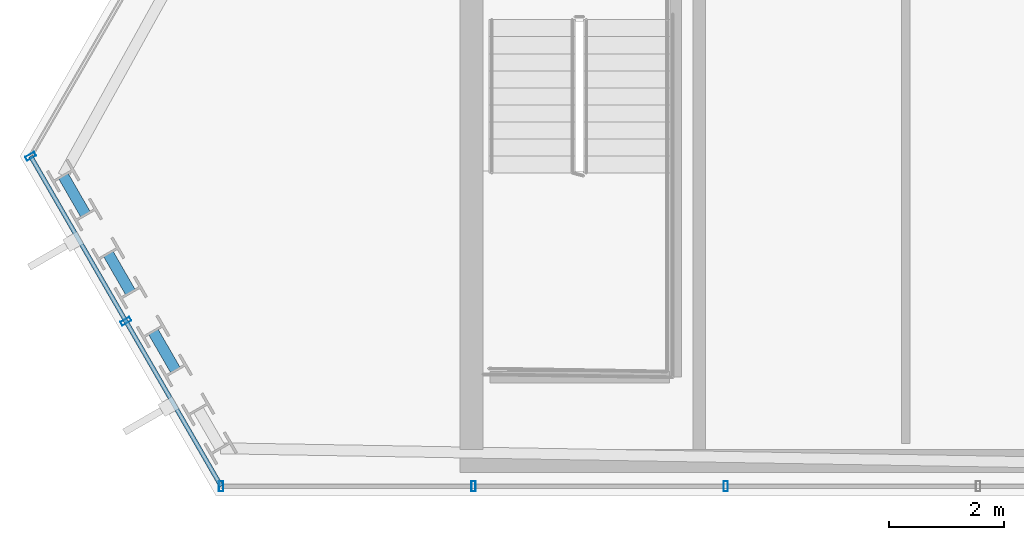
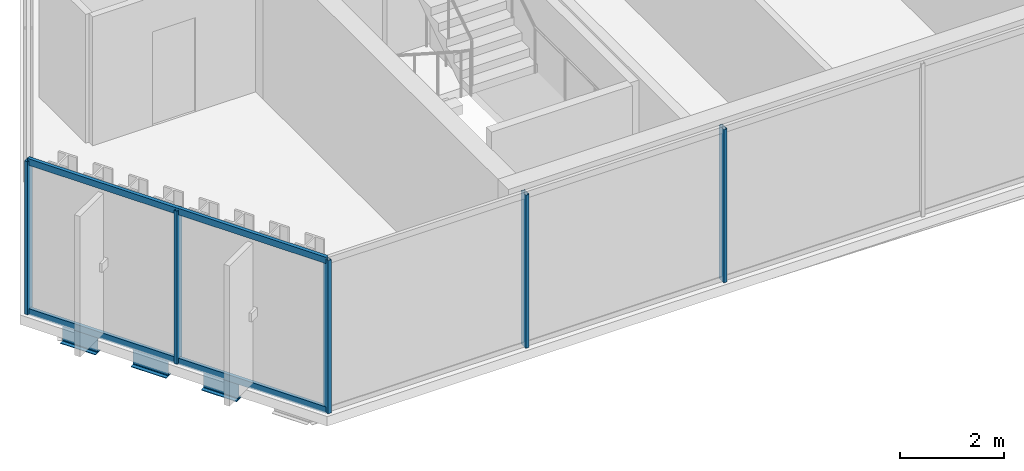
# One storey, part 2 of 29: 7 members, 3 beams, 2 elements without a shape of their own.
"""IFC4 building model written with IfcOpenShell, lengths in metres."""

from ifc_helpers import new_model, si_unit, direction, frame, origin, origin_2d, place, context, subcontext, project, spatial, hollow_rectangle, i_section, extrude, material, layer, layer_set, material_profile, profile_set, type_object, element, aggregate, save


model = new_model("IFC4")

# Units and contexts
model_context = context("Model", 3, precision=1e-05, world=origin(), true_north=direction((0.0, 1.0)))
body_context = subcontext(model_context, "Body", "Model", "MODEL_VIEW")
ifc_project = project(units=[si_unit("LENGTHUNIT", "METRE"), si_unit("AREAUNIT", "SQUARE_METRE"), si_unit("VOLUMEUNIT", "CUBIC_METRE"), si_unit("PLANEANGLEUNIT", "RADIAN"), si_unit("MASSUNIT", "GRAM", prefix="KILO")], contexts=[model_context])

# Site, building, storey
site_placement = place(None, origin())
site = spatial("IfcSite", under=ifc_project, at=site_placement, CompositionType="ELEMENT")
building_placement = place(site_placement, origin())
building = spatial("IfcBuilding", under=site, at=building_placement, Name="Ndaravel Arena Tower", CompositionType="ELEMENT")
storey_placement = place(building_placement, frame((0.0, 0.0, 244.60009765625)))
storey = spatial("IfcBuildingStorey", under=building, at=storey_placement, Name="L59", CompositionType="ELEMENT", Elevation=244.60009765625)

# Beams
ifc_material_1 = material(Name="Steel S355", Category="steel")
ifc_material_profile_1 = material_profile(ifc_material_1, i_section(OverallWidth=0.18994140625, OverallDepth=0.449951171875, WebThickness=0.009521484375, FlangeThickness=0.0146484375, FilletRadius=0.02099609375, at=origin_2d()), Name="IPE 450")
ifc_profile_set_1 = profile_set([ifc_material_profile_1], Name="Steel S355")
beam_type = type_object("IfcBeamType", Name="BM-SPAN-IPE450", PredefinedType="SPANDREL", material=ifc_profile_set_1)
for number, where, z_axis, x_axis, name in (
    (1, (19.56884765625, 10.54443359375, -0.445068359375), (0.500011542666, -0.866018739521, 0.0), (0.866018739521, 0.500011542666, 0.0), "L59 Perimeter Spandrel Beam SP-20"),
    (2, (20.348388671875, 9.19384765625, -0.445068359375), (0.500011542666, -0.866018739521, 0.0), (0.866018739521, 0.500011542666, 0.0), "L59 Perimeter Spandrel Beam SP-22"),
    (3, (21.128173828125, 7.843505859375, -0.445068359375), (0.500011542666, -0.866018739521, 0.0), (0.866018739521, 0.500011542666, 0.0), "L59 Perimeter Spandrel Beam SP-24"),
):
    element("IfcBeam", number, at=place(storey_placement, frame(where, z_axis=z_axis, x_axis=x_axis)), inside=storey, type_object=beam_type, Name=name, PredefinedType="SPANDREL", context=body_context, shape_type="SweptSolid", body=[
        extrude(i_section(OverallWidth=0.18994140625, OverallDepth=0.449951171875, WebThickness=0.009521484375, FlangeThickness=0.0146484375, FilletRadius=0.02099609375, at=origin_2d()), origin(), (0.0, 0.0, 1.0), 0.77978515625),
    ])

# Curtain wall, members
ifc_material_2 = material(Name="Aluminium", Category="aluminium")
ifc_layer_1 = layer(ifc_material_2, 0.179931640625)
ifc_layer_set_1 = layer_set([ifc_layer_1], Name="Aluminium")
curtain_wall_type_1 = type_object("IfcCurtainWallType", Name="CW-SYS-03", PredefinedType="NOTDEFINED", material=ifc_layer_set_1)
curtain_wall_1_placement = place(storey_placement, origin())
curtain_wall_1 = element("IfcCurtainWall", 4, at=curtain_wall_1_placement, inside=storey, type_object=curtain_wall_type_1, Name="L59 Faceted Crystal Curtain Wall CW-L59-E01", PredefinedType="NOTDEFINED")
ifc_material_3 = material(Name="Aluminium", Category="aluminium")
ifc_material_profile_2 = material_profile(ifc_material_3, hollow_rectangle(XDim=0.074951171875, YDim=0.179931640625, WallThickness=0.00390625, at=origin_2d()), Name="CW MULLION 75x180x4")
ifc_profile_set_2 = profile_set([ifc_material_profile_2], Name="Aluminium")
member_type_1 = type_object("IfcMemberType", Name="MEM-CW-MUL180", PredefinedType="MULLION", material=ifc_profile_set_2)
member_1_placement = place(storey_placement, frame((22.30810546875, 5.159912109375, 0.0), z_axis=(0.0, 0.0, 1.0), x_axis=(1.0, 0.0, 0.0)))
member_1 = element("IfcMember", 5, at=member_1_placement, type_object=member_type_1, Name="CW-L59-E01 Mullion 00", PredefinedType="MULLION", context=body_context, shape_type="SweptSolid", body=[
    extrude(hollow_rectangle(XDim=0.074951171875, YDim=0.179931640625, WallThickness=0.00390625, at=origin_2d()), origin(), (0.0, 0.0, 1.0), 3.579833984375),
])
member_2_placement = place(storey_placement, frame((26.68408203125, 5.159912109375, 0.0), z_axis=(0.0, 0.0, 1.0), x_axis=(1.0, 0.0, 0.0)))
member_2 = element("IfcMember", 6, at=member_2_placement, type_object=member_type_1, Name="CW-L59-E01 Mullion 01", PredefinedType="MULLION", context=body_context, shape_type="SweptSolid", body=[
    extrude(hollow_rectangle(XDim=0.074951171875, YDim=0.179931640625, WallThickness=0.00390625, at=origin_2d()), origin(), (0.0, 0.0, 1.0), 3.579833984375),
])
member_3_placement = place(storey_placement, frame((31.06005859375, 5.159912109375, 0.0), z_axis=(0.0, 0.0, 1.0), x_axis=(1.0, 0.0, 0.0)))
member_3 = element("IfcMember", 7, at=member_3_placement, type_object=member_type_1, Name="CW-L59-E01 Mullion 02", PredefinedType="MULLION", context=body_context, shape_type="SweptSolid", body=[
    extrude(hollow_rectangle(XDim=0.074951171875, YDim=0.179931640625, WallThickness=0.00390625, at=origin_2d()), origin(), (0.0, 0.0, 1.0), 3.579833984375),
])
aggregate(curtain_wall_1, [member_1, member_2, member_3])

ifc_material_4 = material(Name="Aluminium", Category="aluminium")
ifc_layer_2 = layer(ifc_material_4, 0.179931640625)
ifc_layer_set_2 = layer_set([ifc_layer_2], Name="Aluminium")
curtain_wall_type_2 = type_object("IfcCurtainWallType", Name="CW-SYS-02", PredefinedType="NOTDEFINED", material=ifc_layer_set_2)
curtain_wall_2_placement = place(storey_placement, origin())
curtain_wall_2 = element("IfcCurtainWall", 8, at=curtain_wall_2_placement, inside=storey, type_object=curtain_wall_type_2, Name="L59 Faceted Crystal Curtain Wall CW-L59-E06", PredefinedType="NOTDEFINED")
member_4_placement = place(storey_placement, frame((19.00439453125, 10.882080078125, 0.0), z_axis=(0.0, 0.0, 1.0), x_axis=(0.5, -0.866025403784, 0.0)))
member_4 = element("IfcMember", 9, at=member_4_placement, type_object=member_type_1, Name="CW-L59-E06 Mullion 00", PredefinedType="MULLION", context=body_context, shape_type="SweptSolid", body=[
    extrude(hollow_rectangle(XDim=0.074951171875, YDim=0.179931640625, WallThickness=0.00390625, at=origin_2d()), origin(), (0.0, 0.0, 1.0), 3.579833984375),
])
member_5_placement = place(storey_placement, frame((20.65625, 8.02099609375, 0.0), z_axis=(0.0, 0.0, 1.0), x_axis=(0.5, -0.866025403784, 0.0)))
member_5 = element("IfcMember", 10, at=member_5_placement, type_object=member_type_1, Name="CW-L59-E06 Mullion 01", PredefinedType="MULLION", context=body_context, shape_type="SweptSolid", body=[
    extrude(hollow_rectangle(XDim=0.074951171875, YDim=0.179931640625, WallThickness=0.00390625, at=origin_2d()), origin(), (0.0, 0.0, 1.0), 3.579833984375),
])
ifc_material_5 = material(Name="Aluminium", Category="aluminium")
ifc_material_profile_3 = material_profile(ifc_material_5, hollow_rectangle(XDim=0.074951171875, YDim=0.14990234375, WallThickness=0.00390625, at=origin_2d()), Name="CW TRANSOM 75x150x4")
ifc_profile_set_3 = profile_set([ifc_material_profile_3], Name="Aluminium")
member_type_2 = type_object("IfcMemberType", Name="MEM-CW-TRN150", PredefinedType="USERDEFINED", material=ifc_profile_set_3)
member_6_placement = place(storey_placement, frame((19.00439453125, 10.882080078125, 0.039794921875), z_axis=(0.500001784407, -0.866024373554, 0.0), x_axis=(0.866024373554, 0.500001784407, 0.0)))
member_6 = element("IfcMember", 11, at=member_6_placement, type_object=member_type_2, Name="CW-L59-E06 Transom 01", ObjectType="TRANSOM", PredefinedType="USERDEFINED", context=body_context, shape_type="SweptSolid", body=[
    extrude(hollow_rectangle(XDim=0.074951171875, YDim=0.14990234375, WallThickness=0.00390625, at=origin_2d()), origin(), (0.0, 0.0, 1.0), 6.607421875),
])
member_7_placement = place(storey_placement, frame((19.00439453125, 10.882080078125, 3.539794921875), z_axis=(0.500001784407, -0.866024373554, 0.0), x_axis=(0.866024373554, 0.500001784407, 0.0)))
member_7 = element("IfcMember", 12, at=member_7_placement, type_object=member_type_2, Name="CW-L59-E06 Transom 02", ObjectType="TRANSOM", PredefinedType="USERDEFINED", context=body_context, shape_type="SweptSolid", body=[
    extrude(hollow_rectangle(XDim=0.074951171875, YDim=0.14990234375, WallThickness=0.00390625, at=origin_2d()), origin(), (0.0, 0.0, 1.0), 6.607421875),
])
aggregate(curtain_wall_2, [member_4, member_5, member_6, member_7])

save(model, "model.ifc")
